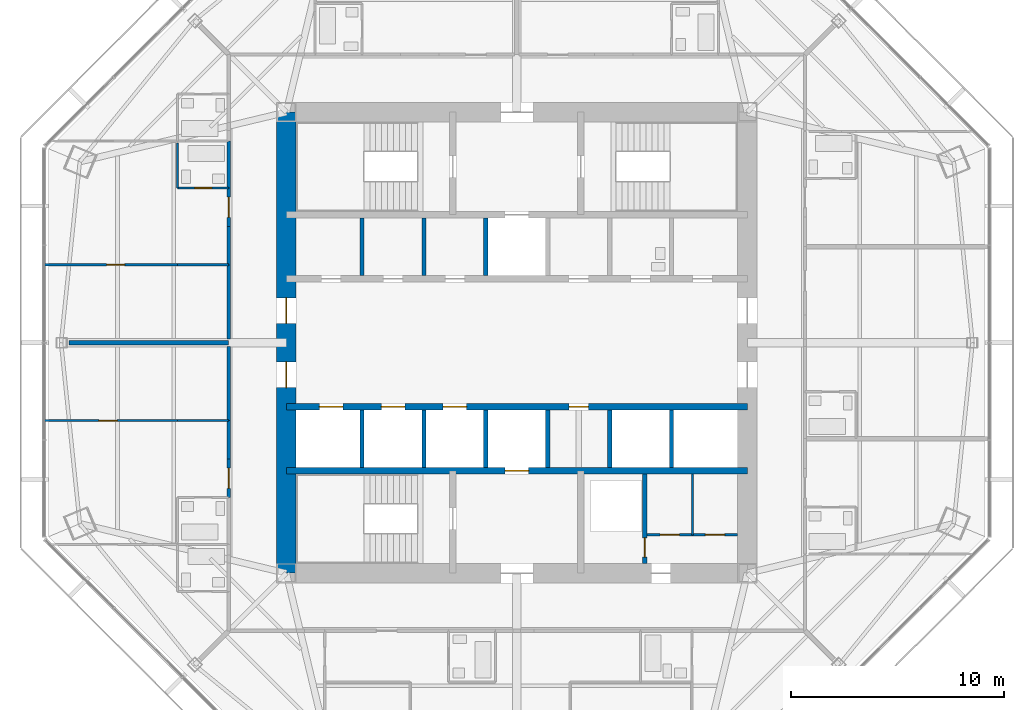
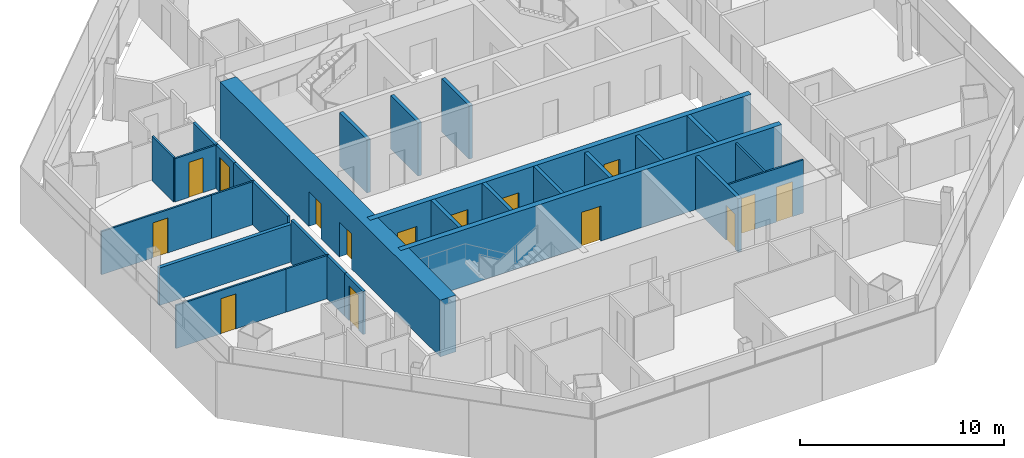
# One storey, part 10 of 15: 29 walls, 15 doors, 15 openings.
"""IFC4 building model written with IfcOpenShell, lengths in metres."""

from ifc_helpers import new_model, si_unit, direction, frame, frame_2d, origin, place, context, subcontext, project, spatial, rectangle, extrude, material, layer, layer_set, type_object, element, fill, save


model = new_model("IFC4")

# Units and contexts
model_context = context("Model", 3, precision=1e-05, world=origin(), true_north=direction((0.0, 1.0)))
body_context = subcontext(model_context, "Body", "Model", "MODEL_VIEW")
ifc_project = project(units=[si_unit("LENGTHUNIT", "METRE"), si_unit("AREAUNIT", "SQUARE_METRE"), si_unit("VOLUMEUNIT", "CUBIC_METRE"), si_unit("PLANEANGLEUNIT", "RADIAN"), si_unit("MASSUNIT", "GRAM", prefix="KILO")], contexts=[model_context])

# Site, building, storey
site_placement = place(None, origin())
site = spatial("IfcSite", under=ifc_project, at=site_placement, CompositionType="ELEMENT")
building_placement = place(site_placement, origin())
building = spatial("IfcBuilding", under=site, at=building_placement, Name="Mashrafa Tower", CompositionType="ELEMENT")
storey_placement = place(building_placement, frame((0.0, 0.0, 207.39990234375)))
storey = spatial("IfcBuildingStorey", under=building, at=storey_placement, Name="L47", CompositionType="ELEMENT", Elevation=207.39990234375)

# Wall
ifc_material_1 = material(Name="Gypsum board on steel studs", Category="steel")
ifc_layer_1 = layer(ifc_material_1, 0.199951171875)
ifc_layer_set_1 = layer_set([ifc_layer_1], Name="Acoustic partition 200 1 hr")
wall_type_1 = type_object("IfcWallType", Name="Acoustic partition 200 1 hr", PredefinedType="PARTITIONING", material=ifc_layer_set_1)
wall_1_placement = place(storey_placement, frame((-20.982421875, 0.0, 0.0), z_axis=(0.0, 0.0, 1.0), x_axis=(1.0, 0.0, 0.0)))
element("IfcWall", 1, at=wall_1_placement, inside=storey, type_object=wall_type_1, Name="Acoustic wall L47-105", PredefinedType="PARTITIONING", context=body_context, shape_type="SweptSolid", body=[
    extrude(rectangle(XDim=7.482421875, YDim=0.199951171875, at=frame_2d((3.7412109375, 0.0))), origin(), (0.0, 0.0, 1.0), 2.2529296875),
])

# Wall, opening, door
ifc_material_2 = material(Name="Concrete masonry unit", Category="masonry")
ifc_layer_2 = layer(ifc_material_2, 0.199951171875)
ifc_layer_set_2 = layer_set([ifc_layer_2], Name="Blockwork wall 200 2 hr")
wall_type_2 = type_object("IfcWallType", Name="Blockwork wall 200 2 hr", PredefinedType="PARTITIONING", material=ifc_layer_set_2)
wall_2_placement = place(storey_placement, frame((6.0, -10.35009765625, 0.0), z_axis=(0.0, 0.0, 1.0), x_axis=(0.0, 1.0, 0.0)))
wall_2 = element("IfcWall", 2, at=wall_2_placement, inside=storey, type_object=wall_type_2, Name="Riser enclosure wall L47", PredefinedType="PARTITIONING", context=body_context, shape_type="SweptSolid", body=[
    extrude(rectangle(XDim=4.2001953125, YDim=0.199951171875, at=frame_2d((2.10009765625, 0.0))), origin(), (0.0, 0.0, 1.0), 3.2001953125),
])
opening_1_placement = place(wall_2_placement, frame((0.300048828125, 0.0, 0.0)))
opening_1 = element("IfcOpeningElement", 3, at=opening_1_placement, cuts=wall_2, Name="Opening 47.042", PredefinedType="OPENING", context=body_context, shape_type="SweptSolid", body=[
    extrude(rectangle(XDim=0.89990234375, YDim=2.10009765625, at=frame_2d((0.449951171875, 1.050048828125))), frame((0.0, 0.10986328125, 0.0), z_axis=(0.0, -1.0, 0.0), x_axis=(1.0, 0.0, 0.0)), (0.0, 0.0, 1.0), 0.219970703125),
])
ifc_material_3 = material(Name="Steel door", Category="steel")
door_type_1 = type_object("IfcDoorType", Name="Service door 900 x 2100 90 min", OperationType="USERDEFINED", PredefinedType="DOOR", material=ifc_material_3)
door_1_placement = place(opening_1_placement, origin())
door_1 = element("IfcDoor", 4, at=door_1_placement, inside=storey, type_object=door_type_1, Name="Riser door L47", OperationType="SINGLE_SWING_LEFT", OverallHeight=2.10009765625, OverallWidth=0.89990234375, PredefinedType="DOOR", context=body_context, shape_type="SweptSolid", body=[
    extrude(rectangle(XDim=0.89990234375, YDim=2.10009765625, at=frame_2d((0.449951171875, 1.050048828125))), frame((0.0, 0.02490234375, 0.0), z_axis=(0.0, -1.0, 0.0), x_axis=(1.0, 0.0, 0.0)), (0.0, 0.0, 1.0), 0.050048828125),
])
fill(opening_1, door_1)

# Wall, openings, doors
ifc_material_4 = material(Name="Concrete C50/60", Category="concrete")
ifc_layer_3 = layer(ifc_material_4, 0.300048828125)
ifc_layer_set_3 = layer_set([ifc_layer_3], Name="Core wall 300 C50/60")
wall_type_3 = type_object("IfcWallType", Name="Core wall 300 C50/60", PredefinedType="SOLIDWALL", material=ifc_layer_set_3)
wall_3_placement = place(storey_placement, frame((-10.800048828125, -3.0, 0.0), z_axis=(0.0, 0.0, 1.0), x_axis=(1.0, 0.0, 0.0)))
wall_3 = element("IfcWall", 5, at=wall_3_placement, inside=storey, type_object=wall_type_3, Name="Core wall CH-S L47", PredefinedType="SOLIDWALL", context=body_context, shape_type="SweptSolid", body=[
    extrude(rectangle(XDim=21.60009765625, YDim=0.300048828125, at=frame_2d((10.800048828125, 0.0))), origin(), (0.0, 0.0, 1.0), 3.400146484375),
])
opening_2_placement = place(wall_3_placement, frame((13.25, 0.0, 0.0)))
opening_2 = element("IfcOpeningElement", 6, at=opening_2_placement, cuts=wall_3, Name="Opening 47.048", PredefinedType="OPENING", context=body_context, shape_type="SweptSolid", body=[
    extrude(rectangle(XDim=0.89990234375, YDim=2.10009765625, at=frame_2d((0.449951171875, 1.050048828125))), frame((0.0, 0.159912109375, 0.0), z_axis=(0.0, -1.0, 0.0), x_axis=(1.0, 0.0, 0.0)), (0.0, 0.0, 1.0), 0.320068359375),
])
opening_3_placement = place(wall_3_placement, frame((1.550048828125, 0.0, 0.0)))
opening_3 = element("IfcOpeningElement", 7, at=opening_3_placement, cuts=wall_3, Name="Opening 47.AL1", PredefinedType="OPENING", context=body_context, shape_type="SweptSolid", body=[
    extrude(rectangle(XDim=1.10009765625, YDim=2.10009765625, at=frame_2d((0.550048828125, 1.050048828125))), frame((0.0, 0.159912109375, 0.0), z_axis=(0.0, -1.0, 0.0), x_axis=(1.0, 0.0, 0.0)), (0.0, 0.0, 1.0), 0.320068359375),
])
opening_4_placement = place(wall_3_placement, frame((4.449951171875, 0.0, 0.0)))
opening_4 = element("IfcOpeningElement", 8, at=opening_4_placement, cuts=wall_3, Name="Opening 47.AL2", PredefinedType="OPENING", context=body_context, shape_type="SweptSolid", body=[
    extrude(rectangle(XDim=1.10009765625, YDim=2.10009765625, at=frame_2d((0.550048828125, 1.050048828125))), frame((0.0, 0.159912109375, 0.0), z_axis=(0.0, -1.0, 0.0), x_axis=(1.0, 0.0, 0.0)), (0.0, 0.0, 1.0), 0.320068359375),
])
opening_5_placement = place(wall_3_placement, frame((7.35009765625, 0.0, 0.0)))
opening_5 = element("IfcOpeningElement", 9, at=opening_5_placement, cuts=wall_3, Name="Opening 47.AL3", PredefinedType="OPENING", context=body_context, shape_type="SweptSolid", body=[
    extrude(rectangle(XDim=1.10009765625, YDim=2.10009765625, at=frame_2d((0.550048828125, 1.050048828125))), frame((0.0, 0.159912109375, 0.0), z_axis=(0.0, -1.0, 0.0), x_axis=(1.0, 0.0, 0.0)), (0.0, 0.0, 1.0), 0.320068359375),
])
ifc_material_5 = material(Name="Steel door", Category="steel")
door_type_2 = type_object("IfcDoorType", Name="Lift landing door 1100 x 2100 90 min", OperationType="DOUBLE_DOOR_SLIDING", PredefinedType="DOOR", material=ifc_material_5)
door_2_placement = place(opening_3_placement, origin())
door_2 = element("IfcDoor", 10, at=door_2_placement, inside=storey, type_object=door_type_2, Name="Lift landing door AL1 L47", OperationType="DOUBLE_DOOR_SLIDING", OverallHeight=2.10009765625, OverallWidth=1.10009765625, PredefinedType="DOOR", context=body_context, shape_type="SweptSolid", body=[
    extrude(rectangle(XDim=1.10009765625, YDim=2.10009765625, at=frame_2d((0.550048828125, 1.050048828125))), frame((0.0, 0.02490234375, 0.0), z_axis=(0.0, -1.0, 0.0), x_axis=(1.0, 0.0, 0.0)), (0.0, 0.0, 1.0), 0.050048828125),
])
fill(opening_3, door_2)
door_3_placement = place(opening_4_placement, origin())
door_3 = element("IfcDoor", 11, at=door_3_placement, inside=storey, type_object=door_type_2, Name="Lift landing door AL2 L47", OperationType="DOUBLE_DOOR_SLIDING", OverallHeight=2.10009765625, OverallWidth=1.10009765625, PredefinedType="DOOR", context=body_context, shape_type="SweptSolid", body=[
    extrude(rectangle(XDim=1.10009765625, YDim=2.10009765625, at=frame_2d((0.550048828125, 1.050048828125))), frame((0.0, 0.02490234375, 0.0), z_axis=(0.0, -1.0, 0.0), x_axis=(1.0, 0.0, 0.0)), (0.0, 0.0, 1.0), 0.050048828125),
])
fill(opening_4, door_3)
door_4_placement = place(opening_5_placement, origin())
door_4 = element("IfcDoor", 12, at=door_4_placement, inside=storey, type_object=door_type_2, Name="Lift landing door AL3 L47", OperationType="DOUBLE_DOOR_SLIDING", OverallHeight=2.10009765625, OverallWidth=1.10009765625, PredefinedType="DOOR", context=body_context, shape_type="SweptSolid", body=[
    extrude(rectangle(XDim=1.10009765625, YDim=2.10009765625, at=frame_2d((0.550048828125, 1.050048828125))), frame((0.0, 0.02490234375, 0.0), z_axis=(0.0, -1.0, 0.0), x_axis=(1.0, 0.0, 0.0)), (0.0, 0.0, 1.0), 0.050048828125),
])
fill(opening_5, door_4)
ifc_material_6 = material(Name="Timber door", Category="wood")
door_type_3 = type_object("IfcDoorType", Name="Store door 900 x 2100", OperationType="USERDEFINED", PredefinedType="DOOR", material=ifc_material_6)
door_5_placement = place(opening_2_placement, frame((0.89990234375, 0.0, 0.0), z_axis=(0.0, 0.0, 1.0), x_axis=(-1.0, 0.0, 0.0)))
door_5 = element("IfcDoor", 13, at=door_5_placement, inside=storey, type_object=door_type_3, Name="Linen Store L47 door", OperationType="SINGLE_SWING_RIGHT", OverallHeight=2.10009765625, OverallWidth=0.89990234375, PredefinedType="DOOR", context=body_context, shape_type="SweptSolid", body=[
    extrude(rectangle(XDim=0.89990234375, YDim=2.10009765625, at=frame_2d((0.449951171875, 1.050048828125))), frame((0.0, 0.02490234375, 0.0), z_axis=(0.0, -1.0, 0.0), x_axis=(1.0, 0.0, 0.0)), (0.0, 0.0, 1.0), 0.050048828125),
])
fill(opening_2, door_5)

# Wall, opening, door
wall_4_placement = place(storey_placement, frame((-10.800048828125, -6.0, 0.0), z_axis=(0.0, 0.0, 1.0), x_axis=(1.0, 0.0, 0.0)))
wall_4 = element("IfcWall", 14, at=wall_4_placement, inside=storey, type_object=wall_type_3, Name="Core wall CB-S L47", PredefinedType="SOLIDWALL", context=body_context, shape_type="SweptSolid", body=[
    extrude(rectangle(XDim=21.60009765625, YDim=0.300048828125, at=frame_2d((10.800048828125, 0.0))), origin(), (0.0, 0.0, 1.0), 3.400146484375),
])
opening_6_placement = place(wall_4_placement, frame((10.25, 0.0, 0.0)))
opening_6 = element("IfcOpeningElement", 15, at=opening_6_placement, cuts=wall_4, Name="Opening 47.F2", PredefinedType="OPENING", context=body_context, shape_type="SweptSolid", body=[
    extrude(rectangle(XDim=1.10009765625, YDim=2.10009765625, at=frame_2d((0.550048828125, 1.050048828125))), frame((0.0, 0.159912109375, 0.0), z_axis=(0.0, -1.0, 0.0), x_axis=(1.0, 0.0, 0.0)), (0.0, 0.0, 1.0), 0.320068359375),
])
door_6_placement = place(opening_6_placement, origin())
door_6 = element("IfcDoor", 16, at=door_6_placement, inside=storey, type_object=door_type_2, Name="Lift landing door F2 L47", OperationType="DOUBLE_DOOR_SLIDING", OverallHeight=2.10009765625, OverallWidth=1.10009765625, PredefinedType="DOOR", context=body_context, shape_type="SweptSolid", body=[
    extrude(rectangle(XDim=1.10009765625, YDim=2.10009765625, at=frame_2d((0.550048828125, 1.050048828125))), frame((0.0, 0.02490234375, 0.0), z_axis=(0.0, -1.0, 0.0), x_axis=(1.0, 0.0, 0.0)), (0.0, 0.0, 1.0), 0.050048828125),
])
fill(opening_6, door_6)

# Wall, openings, doors
ifc_material_7 = material(Name="Concrete C50/60", Category="concrete")
ifc_layer_4 = layer(ifc_material_7, 0.89990234375)
ifc_layer_set_4 = layer_set([ifc_layer_4], Name="Core wall 900 C50/60")
wall_type_4 = type_object("IfcWallType", Name="Core wall 900 C50/60", PredefinedType="SOLIDWALL", material=ifc_layer_set_4)
wall_5_placement = place(storey_placement, frame((-10.800048828125, 10.800048828125, 0.0), z_axis=(0.0, 0.0, 1.0), x_axis=(0.0, -1.0, 0.0)))
wall_5 = element("IfcWall", 17, at=wall_5_placement, inside=storey, type_object=wall_type_4, Name="Core wall CW-W L47", PredefinedType="SOLIDWALL", context=body_context, shape_type="SweptSolid", body=[
    extrude(rectangle(XDim=21.60009765625, YDim=0.89990234375, at=frame_2d((10.800048828125, 0.0))), origin(), (0.0, 0.0, 1.0), 3.400146484375),
])
opening_7_placement = place(wall_5_placement, frame((8.699951171875, 0.0, 0.0)))
opening_7 = element("IfcOpeningElement", 18, at=opening_7_placement, cuts=wall_5, Name="Opening 47.033", PredefinedType="OPENING", context=body_context, shape_type="SweptSolid", body=[
    extrude(rectangle(XDim=1.199951171875, YDim=2.10009765625, at=frame_2d((0.60009765625, 1.050048828125))), frame((0.0, 0.4599609375, 0.0), z_axis=(0.0, -1.0, 0.0), x_axis=(1.0, 0.0, 0.0)), (0.0, 0.0, 1.0), 0.919921875),
])
opening_8_placement = place(wall_5_placement, frame((11.699951171875, 0.0, 0.0)))
opening_8 = element("IfcOpeningElement", 19, at=opening_8_placement, cuts=wall_5, Name="Opening 47.035", PredefinedType="OPENING", context=body_context, shape_type="SweptSolid", body=[
    extrude(rectangle(XDim=1.199951171875, YDim=2.10009765625, at=frame_2d((0.60009765625, 1.050048828125))), frame((0.0, 0.4599609375, 0.0), z_axis=(0.0, -1.0, 0.0), x_axis=(1.0, 0.0, 0.0)), (0.0, 0.0, 1.0), 0.919921875),
])
ifc_material_8 = material(Name="Steel door", Category="steel")
door_type_4 = type_object("IfcDoorType", Name="Lift hall door 1200 x 2100 90 min", OperationType="USERDEFINED", PredefinedType="DOOR", material=ifc_material_8)
door_7_placement = place(opening_7_placement, frame((1.199951171875, 0.0, 0.0), z_axis=(0.0, 0.0, 1.0), x_axis=(-1.0, 0.0, 0.0)))
door_7 = element("IfcDoor", 20, at=door_7_placement, inside=storey, type_object=door_type_4, Name="Lift hall door west L47", OperationType="SINGLE_SWING_RIGHT", OverallHeight=2.10009765625, OverallWidth=1.199951171875, PredefinedType="DOOR", context=body_context, shape_type="SweptSolid", body=[
    extrude(rectangle(XDim=1.199951171875, YDim=2.10009765625, at=frame_2d((0.60009765625, 1.050048828125))), frame((0.0, 0.02490234375, 0.0), z_axis=(0.0, -1.0, 0.0), x_axis=(1.0, 0.0, 0.0)), (0.0, 0.0, 1.0), 0.050048828125),
])
fill(opening_7, door_7)
door_8_placement = place(opening_8_placement, frame((1.199951171875, 0.0, 0.0), z_axis=(0.0, 0.0, 1.0), x_axis=(-1.0, 0.0, 0.0)))
door_8 = element("IfcDoor", 21, at=door_8_placement, inside=storey, type_object=door_type_4, Name="Lift hall door west L47", OperationType="SINGLE_SWING_LEFT", OverallHeight=2.10009765625, OverallWidth=1.199951171875, PredefinedType="DOOR", context=body_context, shape_type="SweptSolid", body=[
    extrude(rectangle(XDim=1.199951171875, YDim=2.10009765625, at=frame_2d((0.60009765625, 1.050048828125))), frame((0.0, 0.02490234375, 0.0), z_axis=(0.0, -1.0, 0.0), x_axis=(1.0, 0.0, 0.0)), (0.0, 0.0, 1.0), 0.050048828125),
])
fill(opening_8, door_8)

# Walls
ifc_material_9 = material(Name="Gypsum board on steel studs", Category="steel")
ifc_layer_5 = layer(ifc_material_9, 0.14990234375)
ifc_layer_set_5 = layer_set([ifc_layer_5], Name="Corridor partition 150 1 hr")
wall_type_5 = type_object("IfcWallType", Name="Corridor partition 150 1 hr", PredefinedType="PARTITIONING", material=ifc_layer_set_5)
wall_6_placement = place(storey_placement, frame((-13.5, 9.450927734375, 0.0), z_axis=(0.0, 0.0, 1.0), x_axis=(0.0, -1.0, 0.0)))
element("IfcWall", 22, at=wall_6_placement, inside=storey, type_object=wall_type_5, Name="Corridor wall L47-035", PredefinedType="PARTITIONING", context=body_context, shape_type="SweptSolid", body=[
    extrude(rectangle(XDim=2.201904296875, YDim=0.14990234375, at=frame_2d((1.10107421875, 0.0))), origin(), (0.0, 0.0, 1.0), 2.590576171875),
])
wall_7_placement = place(storey_placement, frame((-13.5, 5.450927734375, 0.0), z_axis=(0.0, 0.0, 1.0), x_axis=(0.0, -1.0, 0.0)))
element("IfcWall", 23, at=wall_7_placement, inside=storey, type_object=wall_type_5, Name="Corridor wall L47-036", PredefinedType="PARTITIONING", context=body_context, shape_type="SweptSolid", body=[
    extrude(rectangle(XDim=1.802001953125, YDim=0.14990234375, at=frame_2d((0.90087890625, 0.0))), origin(), (0.0, 0.0, 1.0), 2.590576171875),
])
wall_8_placement = place(storey_placement, frame((-13.5, 3.65087890625, 0.0), z_axis=(0.0, 0.0, 1.0), x_axis=(0.0, -1.0, 0.0)))
element("IfcWall", 24, at=wall_8_placement, inside=storey, type_object=wall_type_5, Name="Corridor wall L47-037", PredefinedType="PARTITIONING", context=body_context, shape_type="SweptSolid", body=[
    extrude(rectangle(XDim=3.46728515625, YDim=0.14990234375, at=frame_2d((1.733642578125, 0.0))), origin(), (0.0, 0.0, 1.0), 2.590576171875),
])

# Wall, opening, door
wall_9_placement = place(storey_placement, frame((-13.5, 7.2509765625, 0.0), z_axis=(0.0, 0.0, 1.0), x_axis=(0.0, -1.0, 0.0)))
wall_9 = element("IfcWall", 25, at=wall_9_placement, inside=storey, type_object=wall_type_5, Name="Corridor wall L47-038", PredefinedType="PARTITIONING", context=body_context, shape_type="SweptSolid", body=[
    extrude(rectangle(XDim=1.802001953125, YDim=0.14990234375, at=frame_2d((0.90087890625, 0.0))), origin(), (0.0, 0.0, 1.0), 2.590576171875),
])
opening_9_placement = place(wall_9_placement, frame((0.426025390625, 0.0, 0.0)))
opening_9 = element("IfcOpeningElement", 26, at=opening_9_placement, cuts=wall_9, Name="Opening 47.019", PredefinedType="OPENING", context=body_context, shape_type="SweptSolid", body=[
    extrude(rectangle(XDim=0.949951171875, YDim=2.10009765625, at=frame_2d((0.47509765625, 1.050048828125))), frame((0.0, 0.0849609375, 0.0), z_axis=(0.0, -1.0, 0.0), x_axis=(1.0, 0.0, 0.0)), (0.0, 0.0, 1.0), 0.169921875),
])
ifc_material_10 = material(Name="Steel door", Category="steel")
door_type_5 = type_object("IfcDoorType", Name="Residence entrance door 950 x 2100 20 min", OperationType="USERDEFINED", PredefinedType="DOOR", material=ifc_material_10)
door_9_placement = place(opening_9_placement, frame((0.949951171875, 0.0, 0.0), z_axis=(0.0, 0.0, 1.0), x_axis=(-1.0, 0.0, 0.0)))
door_9 = element("IfcDoor", 27, at=door_9_placement, inside=storey, type_object=door_type_5, Name="Apartment 4706 Living Room door", OperationType="SINGLE_SWING_LEFT", OverallHeight=2.10009765625, OverallWidth=0.949951171875, PredefinedType="DOOR", context=body_context, shape_type="SweptSolid", body=[
    extrude(rectangle(XDim=0.949951171875, YDim=2.10009765625, at=frame_2d((0.47509765625, 1.050048828125))), frame((0.0, 0.02490234375, 0.0), z_axis=(0.0, -1.0, 0.0), x_axis=(1.0, 0.0, 0.0)), (0.0, 0.0, 1.0), 0.050048828125),
])
fill(opening_9, door_9)

# Walls
wall_10_placement = place(storey_placement, frame((-13.5, -3.64892578125, 0.0), z_axis=(0.0, 0.0, 1.0), x_axis=(0.0, -1.0, 0.0)))
element("IfcWall", 28, at=wall_10_placement, inside=storey, type_object=wall_type_5, Name="Corridor wall L47-044", PredefinedType="PARTITIONING", context=body_context, shape_type="SweptSolid", body=[
    extrude(rectangle(XDim=1.802001953125, YDim=0.14990234375, at=frame_2d((0.90087890625, 0.0))), origin(), (0.0, 0.0, 1.0), 2.590576171875),
])
wall_11_placement = place(storey_placement, frame((-13.5, -0.18359375, 0.0), z_axis=(0.0, 0.0, 1.0), x_axis=(0.0, -1.0, 0.0)))
element("IfcWall", 29, at=wall_11_placement, inside=storey, type_object=wall_type_5, Name="Corridor wall L47-045", PredefinedType="PARTITIONING", context=body_context, shape_type="SweptSolid", body=[
    extrude(rectangle(XDim=3.46728515625, YDim=0.14990234375, at=frame_2d((1.733642578125, 0.0))), origin(), (0.0, 0.0, 1.0), 2.590576171875),
])

# Wall, opening, door
wall_12_placement = place(storey_placement, frame((-13.5, -5.448974609375, 0.0), z_axis=(0.0, 0.0, 1.0), x_axis=(0.0, -1.0, 0.0)))
wall_12 = element("IfcWall", 30, at=wall_12_placement, inside=storey, type_object=wall_type_5, Name="Corridor wall L47-046", PredefinedType="PARTITIONING", context=body_context, shape_type="SweptSolid", body=[
    extrude(rectangle(XDim=1.802001953125, YDim=0.14990234375, at=frame_2d((0.90087890625, 0.0))), origin(), (0.0, 0.0, 1.0), 2.590576171875),
])
opening_10_placement = place(wall_12_placement, frame((0.426025390625, 0.0, 0.0)))
opening_10 = element("IfcOpeningElement", 31, at=opening_10_placement, cuts=wall_12, Name="Opening 47.024", PredefinedType="OPENING", context=body_context, shape_type="SweptSolid", body=[
    extrude(rectangle(XDim=0.949951171875, YDim=2.10009765625, at=frame_2d((0.47509765625, 1.050048828125))), frame((0.0, 0.0849609375, 0.0), z_axis=(0.0, -1.0, 0.0), x_axis=(1.0, 0.0, 0.0)), (0.0, 0.0, 1.0), 0.169921875),
])
door_10_placement = place(opening_10_placement, frame((0.949951171875, 0.0, 0.0), z_axis=(0.0, 0.0, 1.0), x_axis=(-1.0, 0.0, 0.0)))
door_10 = element("IfcDoor", 32, at=door_10_placement, inside=storey, type_object=door_type_5, Name="Apartment 4707 Living Room door", OperationType="SINGLE_SWING_RIGHT", OverallHeight=2.10009765625, OverallWidth=0.949951171875, PredefinedType="DOOR", context=body_context, shape_type="SweptSolid", body=[
    extrude(rectangle(XDim=0.949951171875, YDim=2.10009765625, at=frame_2d((0.47509765625, 1.050048828125))), frame((0.0, 0.02490234375, 0.0), z_axis=(0.0, -1.0, 0.0), x_axis=(1.0, 0.0, 0.0)), (0.0, 0.0, 1.0), 0.050048828125),
])
fill(opening_10, door_10)

# Wall
ifc_material_11 = material(Name="Gypsum board on steel studs", Category="steel")
ifc_layer_6 = layer(ifc_material_11, 0.10009765625)
ifc_layer_set_6 = layer_set([ifc_layer_6], Name="Partition 100")
wall_type_6 = type_object("IfcWallType", Name="Partition 100", PredefinedType="PARTITIONING", material=ifc_layer_set_6)
wall_13_placement = place(storey_placement, frame((-15.89990234375, 9.356201171875, 0.0), z_axis=(0.0, 0.0, 1.0), x_axis=(0.0, -1.0, 0.0)))
element("IfcWall", 33, at=wall_13_placement, inside=storey, type_object=wall_type_6, Name="Partition wall L47-101", PredefinedType="PARTITIONING", context=body_context, shape_type="SweptSolid", body=[
    extrude(rectangle(XDim=2.106201171875, YDim=0.10009765625, at=frame_2d((1.05322265625, 0.0))), origin(), (0.0, 0.0, 1.0), 2.664306640625),
])

# Wall, opening, door
wall_14_placement = place(storey_placement, frame((-15.89990234375, 7.25, 0.0), z_axis=(0.0, 0.0, 1.0), x_axis=(1.0, 0.0, 0.0)))
wall_14 = element("IfcWall", 34, at=wall_14_placement, inside=storey, type_object=wall_type_6, Name="Partition wall L47-102", PredefinedType="PARTITIONING", context=body_context, shape_type="SweptSolid", body=[
    extrude(rectangle(XDim=2.39990234375, YDim=0.10009765625, at=frame_2d((1.199951171875, 0.0))), origin(), (0.0, 0.0, 1.0), 2.590576171875),
])
opening_11_placement = place(wall_14_placement, frame((0.800048828125, 0.0, 0.0)))
opening_11 = element("IfcOpeningElement", 35, at=opening_11_placement, cuts=wall_14, Name="Opening 47.017", PredefinedType="OPENING", context=body_context, shape_type="SweptSolid", body=[
    extrude(rectangle(XDim=0.800048828125, YDim=2.10009765625, at=frame_2d((0.39990234375, 1.050048828125))), frame((0.0, 0.06005859375, 0.0), z_axis=(0.0, -1.0, 0.0), x_axis=(1.0, 0.0, 0.0)), (0.0, 0.0, 1.0), 0.1201171875),
])
ifc_material_12 = material(Name="Timber door", Category="wood")
door_type_6 = type_object("IfcDoorType", Name="Bathroom door 800 x 2100", OperationType="USERDEFINED", PredefinedType="DOOR", material=ifc_material_12)
door_11_placement = place(opening_11_placement, origin())
door_11 = element("IfcDoor", 36, at=door_11_placement, inside=storey, type_object=door_type_6, Name="Apartment 4706 Bathroom door", OperationType="SINGLE_SWING_LEFT", OverallHeight=2.10009765625, OverallWidth=0.800048828125, PredefinedType="DOOR", context=body_context, shape_type="SweptSolid", body=[
    extrude(rectangle(XDim=0.800048828125, YDim=2.10009765625, at=frame_2d((0.39990234375, 1.050048828125))), frame((0.0, 0.02490234375, 0.0), z_axis=(0.0, -1.0, 0.0), x_axis=(1.0, 0.0, 0.0)), (0.0, 0.0, 1.0), 0.050048828125),
])
fill(opening_11, door_11)

# Wall
wall_15_placement = place(storey_placement, frame((-15.89990234375, 3.64990234375, 0.0), z_axis=(0.0, 0.0, 1.0), x_axis=(1.0, 0.0, 0.0)))
element("IfcWall", 37, at=wall_15_placement, inside=storey, type_object=wall_type_6, Name="Partition wall L47-103", PredefinedType="PARTITIONING", context=body_context, shape_type="SweptSolid", body=[
    extrude(rectangle(XDim=2.39990234375, YDim=0.10009765625, at=frame_2d((1.199951171875, 0.0))), origin(), (0.0, 0.0, 1.0), 2.590576171875),
])

# Wall, opening, door
wall_16_placement = place(storey_placement, frame((-15.89892578125, 3.64990234375, 0.0), z_axis=(0.0, 0.0, 1.0), x_axis=(-1.0, 0.0, 0.0)))
wall_16 = element("IfcWall", 38, at=wall_16_placement, inside=storey, type_object=wall_type_6, Name="Partition wall L47-104", PredefinedType="PARTITIONING", context=body_context, shape_type="SweptSolid", body=[
    extrude(rectangle(XDim=6.232666015625, YDim=0.10009765625, at=frame_2d((3.1162109375, 0.0))), origin(), (0.0, 0.0, 1.0), 2.590576171875),
])
opening_12_placement = place(wall_16_placement, frame((2.474365234375, 0.0, 0.0)))
opening_12 = element("IfcOpeningElement", 39, at=opening_12_placement, cuts=wall_16, Name="Opening 47.018", PredefinedType="OPENING", context=body_context, shape_type="SweptSolid", body=[
    extrude(rectangle(XDim=0.85009765625, YDim=2.10009765625, at=frame_2d((0.425048828125, 1.050048828125))), frame((0.0, 0.06005859375, 0.0), z_axis=(0.0, -1.0, 0.0), x_axis=(1.0, 0.0, 0.0)), (0.0, 0.0, 1.0), 0.1201171875),
])
ifc_material_13 = material(Name="Timber door", Category="wood")
door_type_7 = type_object("IfcDoorType", Name="Bedroom door 850 x 2100", OperationType="USERDEFINED", PredefinedType="DOOR", material=ifc_material_13)
door_12_placement = place(opening_12_placement, origin())
door_12 = element("IfcDoor", 40, at=door_12_placement, inside=storey, type_object=door_type_7, Name="Apartment 4706 Bedroom 2 door", OperationType="SINGLE_SWING_RIGHT", OverallHeight=2.10009765625, OverallWidth=0.85009765625, PredefinedType="DOOR", context=body_context, shape_type="SweptSolid", body=[
    extrude(rectangle(XDim=0.85009765625, YDim=2.10009765625, at=frame_2d((0.425048828125, 1.050048828125))), frame((0.0, 0.02490234375, 0.0), z_axis=(0.0, -1.0, 0.0), x_axis=(1.0, 0.0, 0.0)), (0.0, 0.0, 1.0), 0.050048828125),
])
fill(opening_12, door_12)

# Wall
wall_17_placement = place(storey_placement, frame((-13.5, -3.64990234375, 0.0), z_axis=(0.0, 0.0, 1.0), x_axis=(-1.0, 0.0, 0.0)))
element("IfcWall", 41, at=wall_17_placement, inside=storey, type_object=wall_type_6, Name="Partition wall L47-116", PredefinedType="PARTITIONING", context=body_context, shape_type="SweptSolid", body=[
    extrude(rectangle(XDim=2.39990234375, YDim=0.10009765625, at=frame_2d((1.199951171875, 0.0))), origin(), (0.0, 0.0, 1.0), 2.590576171875),
])

# Wall, opening, door
wall_18_placement = place(storey_placement, frame((-22.131591796875, -3.64990234375, 0.0), z_axis=(0.0, 0.0, 1.0), x_axis=(1.0, 0.0, 0.0)))
wall_18 = element("IfcWall", 42, at=wall_18_placement, inside=storey, type_object=wall_type_6, Name="Partition wall L47-117", PredefinedType="PARTITIONING", context=body_context, shape_type="SweptSolid", body=[
    extrude(rectangle(XDim=6.232666015625, YDim=0.10009765625, at=frame_2d((3.1162109375, 0.0))), origin(), (0.0, 0.0, 1.0), 2.590576171875),
])
opening_13_placement = place(wall_18_placement, frame((2.55322265625, 0.0, 0.0)))
opening_13 = element("IfcOpeningElement", 43, at=opening_13_placement, cuts=wall_18, Name="Opening 47.023", PredefinedType="OPENING", context=body_context, shape_type="SweptSolid", body=[
    extrude(rectangle(XDim=0.85009765625, YDim=2.10009765625, at=frame_2d((0.425048828125, 1.050048828125))), frame((0.0, 0.06005859375, 0.0), z_axis=(0.0, -1.0, 0.0), x_axis=(1.0, 0.0, 0.0)), (0.0, 0.0, 1.0), 0.1201171875),
])
door_13_placement = place(opening_13_placement, origin())
door_13 = element("IfcDoor", 44, at=door_13_placement, inside=storey, type_object=door_type_7, Name="Apartment 4707 Bedroom 2 door", OperationType="SINGLE_SWING_LEFT", OverallHeight=2.10009765625, OverallWidth=0.85009765625, PredefinedType="DOOR", context=body_context, shape_type="SweptSolid", body=[
    extrude(rectangle(XDim=0.85009765625, YDim=2.10009765625, at=frame_2d((0.425048828125, 1.050048828125))), frame((0.0, 0.02490234375, 0.0), z_axis=(0.0, -1.0, 0.0), x_axis=(1.0, 0.0, 0.0)), (0.0, 0.0, 1.0), 0.050048828125),
])
fill(opening_13, door_13)

# Wall, openings, doors
ifc_material_14 = material(Name="Gypsum board on steel studs", Category="steel")
ifc_layer_7 = layer(ifc_material_14, 0.10009765625)
ifc_layer_set_7 = layer_set([ifc_layer_7], Name="Partition 100 1 hr")
wall_type_7 = type_object("IfcWallType", Name="Partition 100 1 hr", PredefinedType="PARTITIONING", material=ifc_layer_set_7)
wall_19_placement = place(storey_placement, frame((6.10009765625, -9.0, 0.0), z_axis=(0.0, 0.0, 1.0), x_axis=(1.0, 0.0, 0.0)))
wall_19 = element("IfcWall", 45, at=wall_19_placement, inside=storey, type_object=wall_type_7, Name="Services lobby partition A L47", PredefinedType="PARTITIONING", context=body_context, shape_type="SweptSolid", body=[
    extrude(rectangle(XDim=4.25, YDim=0.10009765625, at=frame_2d((2.125, 0.0))), origin(), (0.0, 0.0, 1.0), 3.2001953125),
])
opening_14_placement = place(wall_19_placement, frame((0.612548828125, 0.0, 0.0)))
opening_14 = element("IfcOpeningElement", 46, at=opening_14_placement, cuts=wall_19, Name="Opening 47.043", PredefinedType="OPENING", context=body_context, shape_type="SweptSolid", body=[
    extrude(rectangle(XDim=0.89990234375, YDim=2.10009765625, at=frame_2d((0.449951171875, 1.050048828125))), frame((0.0, 0.06005859375, 0.0), z_axis=(0.0, -1.0, 0.0), x_axis=(1.0, 0.0, 0.0)), (0.0, 0.0, 1.0), 0.1201171875),
])
opening_15_placement = place(wall_19_placement, frame((2.737548828125, 0.0, 0.0)))
opening_15 = element("IfcOpeningElement", 47, at=opening_15_placement, cuts=wall_19, Name="Opening 47.044", PredefinedType="OPENING", context=body_context, shape_type="SweptSolid", body=[
    extrude(rectangle(XDim=0.89990234375, YDim=2.10009765625, at=frame_2d((0.449951171875, 1.050048828125))), frame((0.0, 0.06005859375, 0.0), z_axis=(0.0, -1.0, 0.0), x_axis=(1.0, 0.0, 0.0)), (0.0, 0.0, 1.0), 0.1201171875),
])
door_14_placement = place(opening_14_placement, origin())
door_14 = element("IfcDoor", 48, at=door_14_placement, inside=storey, type_object=door_type_3, Name="Cleaner's Store L47 door", OperationType="SINGLE_SWING_RIGHT", OverallHeight=2.10009765625, OverallWidth=0.89990234375, PredefinedType="DOOR", context=body_context, shape_type="SweptSolid", body=[
    extrude(rectangle(XDim=0.89990234375, YDim=2.10009765625, at=frame_2d((0.449951171875, 1.050048828125))), frame((0.0, 0.02490234375, 0.0), z_axis=(0.0, -1.0, 0.0), x_axis=(1.0, 0.0, 0.0)), (0.0, 0.0, 1.0), 0.050048828125),
])
fill(opening_14, door_14)
door_15_placement = place(opening_15_placement, origin())
door_15 = element("IfcDoor", 49, at=door_15_placement, inside=storey, type_object=door_type_3, Name="Building Services Store L47 door", OperationType="SINGLE_SWING_LEFT", OverallHeight=2.10009765625, OverallWidth=0.89990234375, PredefinedType="DOOR", context=body_context, shape_type="SweptSolid", body=[
    extrude(rectangle(XDim=0.89990234375, YDim=2.10009765625, at=frame_2d((0.449951171875, 1.050048828125))), frame((0.0, 0.02490234375, 0.0), z_axis=(0.0, -1.0, 0.0), x_axis=(1.0, 0.0, 0.0)), (0.0, 0.0, 1.0), 0.050048828125),
])
fill(opening_15, door_15)

# Walls
wall_20_placement = place(storey_placement, frame((8.22509765625, -9.0, 0.0), z_axis=(0.0, 0.0, 1.0), x_axis=(0.0, 1.0, 0.0)))
element("IfcWall", 50, at=wall_20_placement, inside=storey, type_object=wall_type_7, Name="Services lobby partition B L47", PredefinedType="PARTITIONING", context=body_context, shape_type="SweptSolid", body=[
    extrude(rectangle(XDim=2.85009765625, YDim=0.10009765625, at=frame_2d((1.425048828125, 0.0))), origin(), (0.0, 0.0, 1.0), 3.2001953125),
])
ifc_material_15 = material(Name="Gypsum shaft wall on steel studs", Category="steel")
ifc_layer_8 = layer(ifc_material_15, 0.199951171875)
ifc_layer_set_8 = layer_set([ifc_layer_8], Name="Shaft divider wall 200 2 hr")
wall_type_8 = type_object("IfcWallType", Name="Shaft divider wall 200 2 hr", PredefinedType="PARTITIONING", material=ifc_layer_set_8)
for number, where, z_axis, x_axis, name in (
    (51, (-7.25, 3.14990234375, 0.0), (0.0, 0.0, 1.0), (0.0, 1.0, 0.0), "Shaft divider wall N1 L47"),
    (52, (-4.35009765625, 3.14990234375, 0.0), (0.0, 0.0, 1.0), (0.0, 1.0, 0.0), "Shaft divider wall N2 L47"),
    (53, (-1.449951171875, 3.14990234375, 0.0), (0.0, 0.0, 1.0), (0.0, 1.0, 0.0), "Shaft divider wall N3 L47"),
):
    element("IfcWall", number, at=place(storey_placement, frame(where, z_axis=z_axis, x_axis=x_axis)), inside=storey, type_object=wall_type_8, Name=name, PredefinedType="PARTITIONING", context=body_context, shape_type="SweptSolid", body=[
        extrude(rectangle(XDim=2.7001953125, YDim=0.199951171875, at=frame_2d((1.35009765625, 0.0))), origin(), (0.0, 0.0, 1.0), 3.2001953125),
    ])
for number, where, z_axis, x_axis, name in (
    (54, (-7.25, -5.85009765625, 0.0), (0.0, 0.0, 1.0), (0.0, 1.0, 0.0), "Shaft divider wall S1 L47"),
    (55, (-4.35009765625, -5.85009765625, 0.0), (0.0, 0.0, 1.0), (0.0, 1.0, 0.0), "Shaft divider wall S2 L47"),
    (56, (-1.449951171875, -5.85009765625, 0.0), (0.0, 0.0, 1.0), (0.0, 1.0, 0.0), "Shaft divider wall S3 L47"),
):
    element("IfcWall", number, at=place(storey_placement, frame(where, z_axis=z_axis, x_axis=x_axis)), inside=storey, type_object=wall_type_8, Name=name, PredefinedType="PARTITIONING", context=body_context, shape_type="SweptSolid", body=[
        extrude(rectangle(XDim=2.7001953125, YDim=0.199951171875, at=frame_2d((1.35009765625, 0.0))), origin(), (0.0, 0.0, 1.0), 3.400146484375),
    ])
for number, where, z_axis, x_axis, name in (
    (57, (1.449951171875, -5.85009765625, 0.0), (0.0, 0.0, 1.0), (0.0, 1.0, 0.0), "Shaft divider wall S4 L47"),
    (58, (4.35009765625, -5.85009765625, 0.0), (0.0, 0.0, 1.0), (0.0, 1.0, 0.0), "Shaft divider wall S5 L47"),
):
    element("IfcWall", number, at=place(storey_placement, frame(where, z_axis=z_axis, x_axis=x_axis)), inside=storey, type_object=wall_type_8, Name=name, PredefinedType="PARTITIONING", context=body_context, shape_type="SweptSolid", body=[
        extrude(rectangle(XDim=2.7001953125, YDim=0.199951171875, at=frame_2d((1.35009765625, 0.0))), origin(), (0.0, 0.0, 1.0), 3.2001953125),
    ])
wall_21_placement = place(storey_placement, frame((7.25, -5.85009765625, 0.0), z_axis=(0.0, 0.0, 1.0), x_axis=(0.0, 1.0, 0.0)))
element("IfcWall", 59, at=wall_21_placement, inside=storey, type_object=wall_type_8, Name="Shaft divider wall S6 L47", PredefinedType="PARTITIONING", context=body_context, shape_type="SweptSolid", body=[
    extrude(rectangle(XDim=2.7001953125, YDim=0.199951171875, at=frame_2d((1.35009765625, 0.0))), origin(), (0.0, 0.0, 1.0), 3.400146484375),
])

save(model, "model.ifc")
